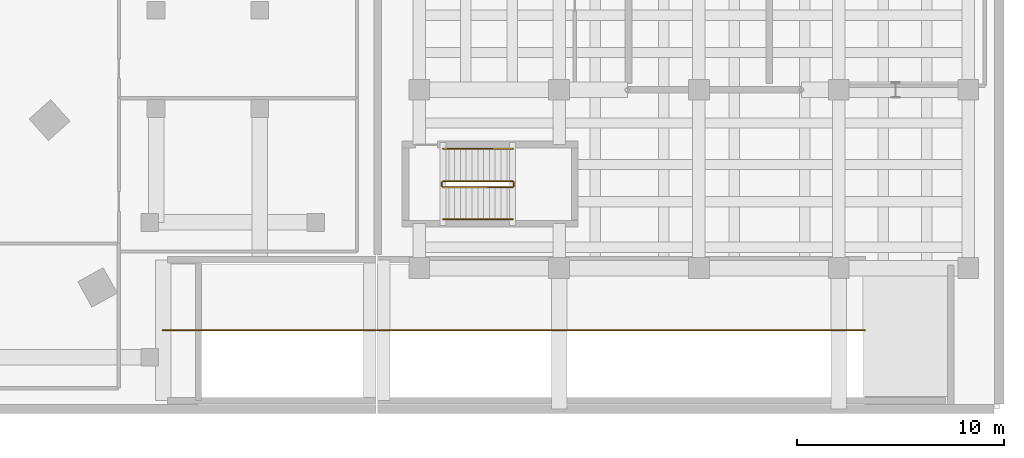
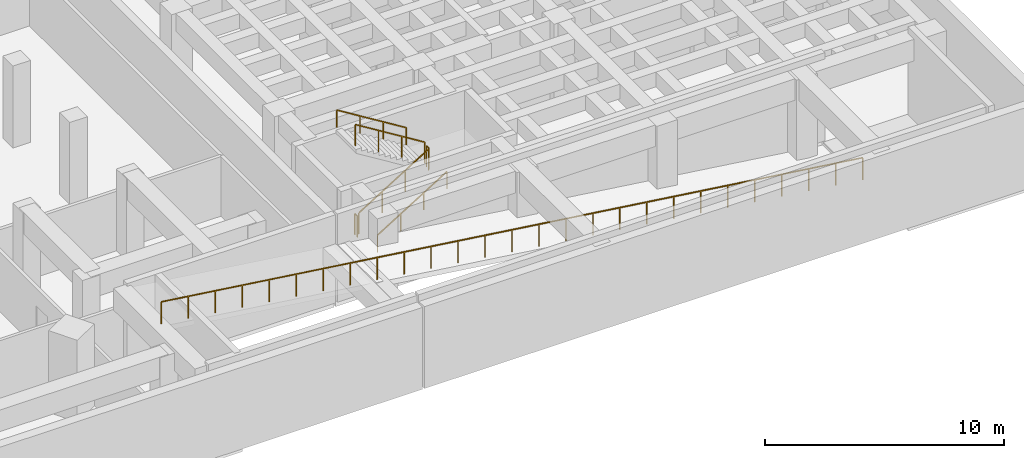
# One storey, part 12 of 13: 7 railings.
"""IFC4 building model written with IfcOpenShell, lengths in metres."""

from ifc_helpers import new_model, si_unit, direction, frame, origin, origin_2d, place, context, subcontext, project, spatial, rectangle, extrude, material, type_object, element, save


model = new_model("IFC4")

# Units and contexts
model_context = context("Model", 3, precision=1e-05, world=origin(), true_north=direction((0.0, 1.0)))
body_context = subcontext(model_context, "Body", "Model", "MODEL_VIEW")
ifc_project = project(units=[si_unit("LENGTHUNIT", "METRE"), si_unit("AREAUNIT", "SQUARE_METRE"), si_unit("VOLUMEUNIT", "CUBIC_METRE"), si_unit("PLANEANGLEUNIT", "RADIAN"), si_unit("MASSUNIT", "GRAM", prefix="KILO")], contexts=[model_context])

# Site, building, storey
site_placement = place(None, origin())
site = spatial("IfcSite", under=ifc_project, at=site_placement, CompositionType="ELEMENT")
building_placement = place(site_placement, origin())
building = spatial("IfcBuilding", under=site, at=building_placement, Name="Korentha Bioscience Tower", CompositionType="ELEMENT")
storey_placement = place(building_placement, frame((0.0, 0.0, -4.5)))
storey = spatial("IfcBuildingStorey", under=building, at=storey_placement, Name="B1", CompositionType="ELEMENT", Elevation=-4.5)

# Railings
ifc_material_1 = material(Name="Stainless Steel 304", Category="steel")
railing_type_1 = type_object("IfcRailingType", Name="Brushed Stainless Stair Handrail 900", PredefinedType="HANDRAIL", material=ifc_material_1)
railing_1_placement = place(storey_placement, frame((67.64990234375, 12.14990234375, 0.173095703125)))
element("IfcRailing", 1, at=railing_1_placement, inside=storey, type_object=railing_type_1, Name="B1 ST-T1 stair handrail 1", PredefinedType="HANDRAIL", context=body_context, shape_type="SweptSolid", body=[
    extrude(rectangle(XDim=0.048095703125, YDim=0.048095703125, at=origin_2d()), frame((0.0, 0.0, 0.8759765625), z_axis=(0.850623216509, 0.0, 0.525775754039), x_axis=(0.0, 1.0, 0.0)), (0.0, 0.0, 1.0), 3.9501953125),
    extrude(rectangle(XDim=0.0419921875, YDim=0.0419921875, at=origin_2d()), origin(), (0.0, 0.0, 1.0), 0.851806640625),
    extrude(rectangle(XDim=0.0419921875, YDim=0.0419921875, at=origin_2d()), frame((1.1201171875, 0.0, 0.6923828125)), (0.0, 0.0, 1.0), 0.851806640625),
    extrude(rectangle(XDim=0.0419921875, YDim=0.0419921875, at=origin_2d()), frame((2.239990234375, 0.0, 1.384521484375)), (0.0, 0.0, 1.0), 0.851806640625),
    extrude(rectangle(XDim=0.0419921875, YDim=0.0419921875, at=origin_2d()), frame((3.360107421875, 0.0, 2.076904296875)), (0.0, 0.0, 1.0), 0.851806640625),
])
railing_2_placement = place(storey_placement, frame((71.010009765625, 15.550048828125, 2.423095703125)))
element("IfcRailing", 2, at=railing_2_placement, inside=storey, type_object=railing_type_1, Name="B1 ST-T1 stair handrail 2", PredefinedType="HANDRAIL", context=body_context, shape_type="SweptSolid", body=[
    extrude(rectangle(XDim=0.048095703125, YDim=0.048095703125, at=origin_2d()), frame((0.0, 0.0, 0.8759765625), z_axis=(-0.850623216509, 0.0, 0.525775754039), x_axis=(0.0, -1.0, 0.0)), (0.0, 0.0, 1.0), 3.9501953125),
    extrude(rectangle(XDim=0.0419921875, YDim=0.0419921875, at=origin_2d()), origin(), (0.0, 0.0, 1.0), 0.851806640625),
    extrude(rectangle(XDim=0.0419921875, YDim=0.0419921875, at=origin_2d()), frame((-1.1201171875, 0.0, 0.6923828125)), (0.0, 0.0, 1.0), 0.851806640625),
    extrude(rectangle(XDim=0.0419921875, YDim=0.0419921875, at=origin_2d()), frame((-2.239990234375, 0.0, 1.384521484375)), (0.0, 0.0, 1.0), 0.851806640625),
    extrude(rectangle(XDim=0.0419921875, YDim=0.0419921875, at=origin_2d()), frame((-3.360107421875, 0.0, 2.076904296875)), (0.0, 0.0, 1.0), 0.851806640625),
])
ifc_material_2 = material(Name="Laminated Tempered Safety Glass", Category="glass")
railing_type_2 = type_object("IfcRailingType", Name="Laminated Glass Balcony Guardrail 1150", PredefinedType="BALUSTRADE", material=ifc_material_2)
railing_3_placement = place(storey_placement, frame((88.0, 6.800048828125, 0.0)))
element("IfcRailing", 3, at=railing_3_placement, inside=storey, type_object=railing_type_2, Name="B1 Car Park Ramp Inner Lane Guardrail", PredefinedType="BALUSTRADE", context=body_context, shape_type="SweptSolid", body=[
    extrude(rectangle(XDim=0.048095703125, YDim=0.048095703125, at=origin_2d()), frame((0.0, 0.0, 1.1259765625), z_axis=(-0.991294155596, 0.0, 0.131665853889), x_axis=(0.0, -1.0, 0.0)), (0.0, 0.0, 1.0), 34.177490234375),
    extrude(rectangle(XDim=0.0419921875, YDim=0.0419921875, at=origin_2d()), origin(), (0.0, 0.0, 1.0), 1.101806640625),
    extrude(rectangle(XDim=0.0419921875, YDim=0.0419921875, at=origin_2d()), frame((-1.302978515625, 0.0, 0.173095703125)), (0.0, 0.0, 1.0), 1.101806640625),
    extrude(rectangle(XDim=0.0419921875, YDim=0.0419921875, at=origin_2d()), frame((-2.606201171875, 0.0, 0.34619140625)), (0.0, 0.0, 1.0), 1.101806640625),
    extrude(rectangle(XDim=0.0419921875, YDim=0.0419921875, at=origin_2d()), frame((-3.9091796875, 0.0, 0.519287109375)), (0.0, 0.0, 1.0), 1.101806640625),
    extrude(rectangle(XDim=0.0419921875, YDim=0.0419921875, at=origin_2d()), frame((-5.21240234375, 0.0, 0.6923828125)), (0.0, 0.0, 1.0), 1.101806640625),
    extrude(rectangle(XDim=0.0419921875, YDim=0.0419921875, at=origin_2d()), frame((-6.515380859375, 0.0, 0.865478515625)), (0.0, 0.0, 1.0), 1.101806640625),
    extrude(rectangle(XDim=0.0419921875, YDim=0.0419921875, at=origin_2d()), frame((-7.818359375, 0.0, 1.03857421875)), (0.0, 0.0, 1.0), 1.101806640625),
    extrude(rectangle(XDim=0.0419921875, YDim=0.0419921875, at=origin_2d()), frame((-9.12158203125, 0.0, 1.21142578125)), (0.0, 0.0, 1.0), 1.101806640625),
    extrude(rectangle(XDim=0.0419921875, YDim=0.0419921875, at=origin_2d()), frame((-10.424560546875, 0.0, 1.384521484375)), (0.0, 0.0, 1.0), 1.101806640625),
    extrude(rectangle(XDim=0.0419921875, YDim=0.0419921875, at=origin_2d()), frame((-11.7275390625, 0.0, 1.5576171875)), (0.0, 0.0, 1.0), 1.101806640625),
    extrude(rectangle(XDim=0.0419921875, YDim=0.0419921875, at=origin_2d()), frame((-13.03076171875, 0.0, 1.730712890625)), (0.0, 0.0, 1.0), 1.101806640625),
    extrude(rectangle(XDim=0.0419921875, YDim=0.0419921875, at=origin_2d()), frame((-14.333740234375, 0.0, 1.90380859375)), (0.0, 0.0, 1.0), 1.101806640625),
    extrude(rectangle(XDim=0.0419921875, YDim=0.0419921875, at=origin_2d()), frame((-15.636962890625, 0.0, 2.076904296875)), (0.0, 0.0, 1.0), 1.101806640625),
    extrude(rectangle(XDim=0.0419921875, YDim=0.0419921875, at=origin_2d()), frame((-16.93994140625, 0.0, 2.25)), (0.0, 0.0, 1.0), 1.101806640625),
    extrude(rectangle(XDim=0.0419921875, YDim=0.0419921875, at=origin_2d()), frame((-18.242919921875, 0.0, 2.423095703125)), (0.0, 0.0, 1.0), 1.101806640625),
    extrude(rectangle(XDim=0.0419921875, YDim=0.0419921875, at=origin_2d()), frame((-19.546142578125, 0.0, 2.59619140625)), (0.0, 0.0, 1.0), 1.101806640625),
    extrude(rectangle(XDim=0.0419921875, YDim=0.0419921875, at=origin_2d()), frame((-20.84912109375, 0.0, 2.769287109375)), (0.0, 0.0, 1.0), 1.101806640625),
    extrude(rectangle(XDim=0.0419921875, YDim=0.0419921875, at=origin_2d()), frame((-22.15234375, 0.0, 2.9423828125)), (0.0, 0.0, 1.0), 1.101806640625),
    extrude(rectangle(XDim=0.0419921875, YDim=0.0419921875, at=origin_2d()), frame((-23.455322265625, 0.0, 3.115478515625)), (0.0, 0.0, 1.0), 1.101806640625),
    extrude(rectangle(XDim=0.0419921875, YDim=0.0419921875, at=origin_2d()), frame((-24.75830078125, 0.0, 3.28857421875)), (0.0, 0.0, 1.0), 1.101806640625),
    extrude(rectangle(XDim=0.0419921875, YDim=0.0419921875, at=origin_2d()), frame((-26.0615234375, 0.0, 3.46142578125)), (0.0, 0.0, 1.0), 1.101806640625),
    extrude(rectangle(XDim=0.0419921875, YDim=0.0419921875, at=origin_2d()), frame((-27.364501953125, 0.0, 3.634521484375)), (0.0, 0.0, 1.0), 1.101806640625),
    extrude(rectangle(XDim=0.0419921875, YDim=0.0419921875, at=origin_2d()), frame((-28.66748046875, 0.0, 3.8076171875)), (0.0, 0.0, 1.0), 1.101806640625),
    extrude(rectangle(XDim=0.0419921875, YDim=0.0419921875, at=origin_2d()), frame((-29.970703125, 0.0, 3.980712890625)), (0.0, 0.0, 1.0), 1.101806640625),
    extrude(rectangle(XDim=0.0419921875, YDim=0.0419921875, at=origin_2d()), frame((-31.273681640625, 0.0, 4.15380859375)), (0.0, 0.0, 1.0), 1.101806640625),
    extrude(rectangle(XDim=0.0419921875, YDim=0.0419921875, at=origin_2d()), frame((-32.576904296875, 0.0, 4.326904296875)), (0.0, 0.0, 1.0), 1.101806640625),
    extrude(rectangle(XDim=0.0419921875, YDim=0.0419921875, at=origin_2d()), frame((-33.8798828125, 0.0, 4.5)), (0.0, 0.0, 1.0), 1.101806640625),
])
ifc_material_3 = material(Name="Painted Steel S275", Category="steel")
railing_type_3 = type_object("IfcRailingType", Name="Painted Steel Stair Well Guardrail 1100", PredefinedType="GUARDRAIL", material=ifc_material_3)
railing_4_placement = place(storey_placement, frame((67.64990234375, 13.699951171875, 0.173095703125)))
element("IfcRailing", 4, at=railing_4_placement, inside=storey, type_object=railing_type_3, Name="B1 ST-T1 stair guard 1", PredefinedType="GUARDRAIL", context=body_context, shape_type="SweptSolid", body=[
    extrude(rectangle(XDim=0.048095703125, YDim=0.048095703125, at=origin_2d()), frame((0.0, 0.0, 1.076171875), z_axis=(0.850623216509, 0.0, 0.525775754039), x_axis=(0.0, 1.0, 0.0)), (0.0, 0.0, 1.0), 3.9501953125),
    extrude(rectangle(XDim=0.0419921875, YDim=0.0419921875, at=origin_2d()), origin(), (0.0, 0.0, 1.0), 1.052001953125),
    extrude(rectangle(XDim=0.0419921875, YDim=0.0419921875, at=origin_2d()), frame((1.1201171875, 0.0, 0.6923828125)), (0.0, 0.0, 1.0), 1.052001953125),
    extrude(rectangle(XDim=0.0419921875, YDim=0.0419921875, at=origin_2d()), frame((2.239990234375, 0.0, 1.384521484375)), (0.0, 0.0, 1.0), 1.052001953125),
    extrude(rectangle(XDim=0.0419921875, YDim=0.0419921875, at=origin_2d()), frame((3.360107421875, 0.0, 2.076904296875)), (0.0, 0.0, 1.0), 1.052001953125),
])
railing_5_placement = place(storey_placement, frame((71.06005859375, 13.75, 2.25)))
element("IfcRailing", 5, at=railing_5_placement, inside=storey, type_object=railing_type_3, Name="B1 ST-T1 stair guard 2", PredefinedType="GUARDRAIL", context=body_context, shape_type="SweptSolid", body=[
    extrude(rectangle(XDim=0.048095703125, YDim=0.048095703125, at=origin_2d()), frame((0.0, 0.0, 1.076171875), z_axis=(0.0, 1.0, 0.0), x_axis=(-1.0, 0.0, 0.0)), (0.0, 0.0, 1.0), 0.199951171875),
    extrude(rectangle(XDim=0.0419921875, YDim=0.0419921875, at=origin_2d()), origin(), (0.0, 0.0, 1.0), 1.052001953125),
    extrude(rectangle(XDim=0.0419921875, YDim=0.0419921875, at=origin_2d()), frame((0.0, 0.199951171875, 0.0)), (0.0, 0.0, 1.0), 1.052001953125),
])
railing_6_placement = place(storey_placement, frame((71.010009765625, 14.0, 2.423095703125)))
element("IfcRailing", 6, at=railing_6_placement, inside=storey, type_object=railing_type_3, Name="B1 ST-T1 stair guard 3", PredefinedType="GUARDRAIL", context=body_context, shape_type="SweptSolid", body=[
    extrude(rectangle(XDim=0.048095703125, YDim=0.048095703125, at=origin_2d()), frame((0.0, 0.0, 1.076171875), z_axis=(-0.850623216509, 0.0, 0.525775754039), x_axis=(0.0, -1.0, 0.0)), (0.0, 0.0, 1.0), 3.9501953125),
    extrude(rectangle(XDim=0.0419921875, YDim=0.0419921875, at=origin_2d()), origin(), (0.0, 0.0, 1.0), 1.052001953125),
    extrude(rectangle(XDim=0.0419921875, YDim=0.0419921875, at=origin_2d()), frame((-1.1201171875, 0.0, 0.6923828125)), (0.0, 0.0, 1.0), 1.052001953125),
    extrude(rectangle(XDim=0.0419921875, YDim=0.0419921875, at=origin_2d()), frame((-2.239990234375, 0.0, 1.384521484375)), (0.0, 0.0, 1.0), 1.052001953125),
    extrude(rectangle(XDim=0.0419921875, YDim=0.0419921875, at=origin_2d()), frame((-3.360107421875, 0.0, 2.076904296875)), (0.0, 0.0, 1.0), 1.052001953125),
])
railing_7_placement = place(storey_placement, frame((67.60009765625, 13.75, 0.0)))
element("IfcRailing", 7, at=railing_7_placement, inside=storey, type_object=railing_type_3, Name="B1 ST-T1 stair guard 4", PredefinedType="GUARDRAIL", context=body_context, shape_type="SweptSolid", body=[
    extrude(rectangle(XDim=0.048095703125, YDim=0.048095703125, at=origin_2d()), frame((0.0, 0.0, 1.076171875), z_axis=(0.0, 1.0, 0.0), x_axis=(-1.0, 0.0, 0.0)), (0.0, 0.0, 1.0), 0.199951171875),
    extrude(rectangle(XDim=0.0419921875, YDim=0.0419921875, at=origin_2d()), origin(), (0.0, 0.0, 1.0), 1.052001953125),
    extrude(rectangle(XDim=0.0419921875, YDim=0.0419921875, at=origin_2d()), frame((0.0, 0.199951171875, 0.0)), (0.0, 0.0, 1.0), 1.052001953125),
])

save(model, "model.ifc")
